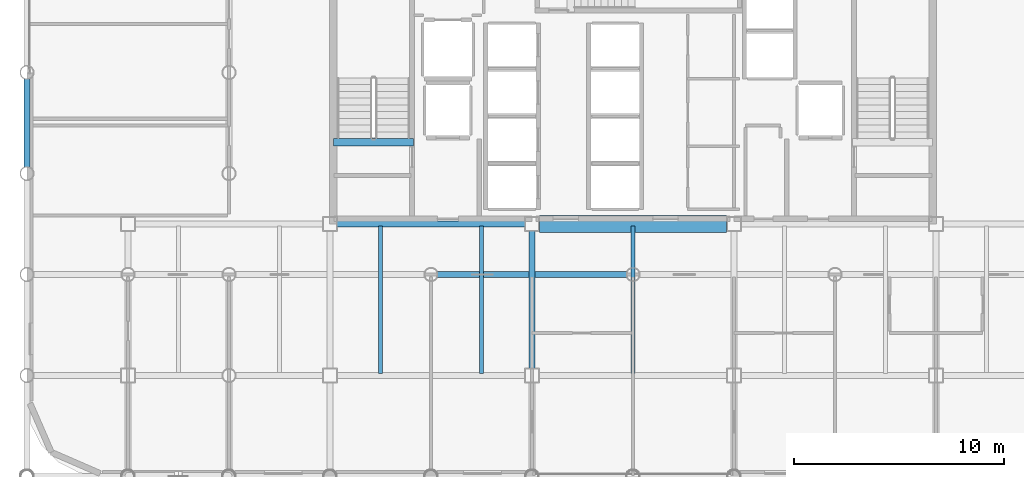
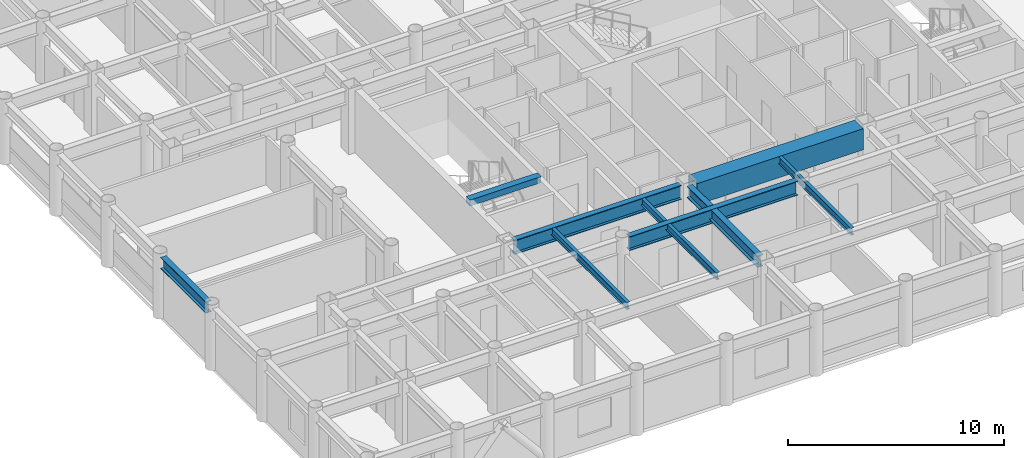
# One storey, part 3 of 22: 9 beams.
"""IFC4 building model written with IfcOpenShell, lengths in metres."""

from ifc_helpers import new_model, si_unit, direction, frame, origin, origin_2d, place, context, subcontext, project, spatial, rectangle, i_section, extrude, material, material_profile, profile_set, type_object, element, save


model = new_model("IFC4")

# Units and contexts
model_context = context("Model", 3, precision=1e-05, world=origin(), true_north=direction((0.0, 1.0)))
body_context = subcontext(model_context, "Body", "Model", "MODEL_VIEW")
ifc_project = project(units=[si_unit("LENGTHUNIT", "METRE"), si_unit("AREAUNIT", "SQUARE_METRE"), si_unit("VOLUMEUNIT", "CUBIC_METRE"), si_unit("PLANEANGLEUNIT", "RADIAN"), si_unit("MASSUNIT", "GRAM", prefix="KILO")], contexts=[model_context])

# Site, building, storey
site_placement = place(None, origin())
site = spatial("IfcSite", under=ifc_project, at=site_placement, CompositionType="ELEMENT")
building_placement = place(site_placement, origin())
building = spatial("IfcBuilding", under=site, at=building_placement, Name="Kallvorn Hotel Tower", CompositionType="ELEMENT")
storey_placement = place(building_placement, frame((0.0, 0.0, 117.39990234375)))
storey = spatial("IfcBuildingStorey", under=building, at=storey_placement, Name="L28", CompositionType="ELEMENT", Elevation=117.39990234375)

# Beams
ifc_material_1 = material(Name="Structural steel S355JR", Category="steel")
ifc_material_profile_1 = material_profile(ifc_material_1, i_section(OverallWidth=0.300048828125, OverallDepth=0.64990234375, WebThickness=0.01611328125, FlangeThickness=0.031005859375, at=origin_2d()), Name="HE 650 B")
ifc_profile_set_1 = profile_set([ifc_material_profile_1], Name="Structural steel S355JR")
beam_type_1 = type_object("IfcBeamType", Name="BM_HE650B", PredefinedType="BEAM", material=ifc_profile_set_1)
beam_1_placement = place(storey_placement, frame((-28.800048828125, -4.4951171875, 3.195068359375), z_axis=(0.0, 1.0, 0.0), x_axis=(-1.0, 0.0, 0.0)))
element("IfcBeam", 1, at=beam_1_placement, inside=storey, type_object=beam_type_1, Name="L29 Primary Y-Girder 76", PredefinedType="BEAM", context=body_context, shape_type="SweptSolid", body=[
    extrude(i_section(OverallWidth=0.300048828125, OverallDepth=0.64990234375, WebThickness=0.01611328125, FlangeThickness=0.031005859375, at=origin_2d()), origin(), (0.0, 0.0, 1.0), 4.190185546875),
])
beam_2_placement = place(storey_placement, frame((-4.800048828125, -14.074951171875, 3.195068359375), z_axis=(0.0, 1.0, 0.0), x_axis=(-1.0, 0.0, 0.0)))
element("IfcBeam", 2, at=beam_2_placement, inside=storey, type_object=beam_type_1, Name="L29 Primary Y-Girder 106", PredefinedType="BEAM", context=body_context, shape_type="SweptSolid", body=[
    extrude(i_section(OverallWidth=0.300048828125, OverallDepth=0.64990234375, WebThickness=0.01611328125, FlangeThickness=0.031005859375, at=origin_2d()), origin(), (0.0, 0.0, 1.0), 6.550048828125),
])
ifc_material_2 = material(Name="Structural steel S355JR", Category="steel")
ifc_material_profile_2 = material_profile(ifc_material_2, i_section(OverallWidth=0.300048828125, OverallDepth=0.800048828125, WebThickness=0.017578125, FlangeThickness=0.032958984375, at=origin_2d()), Name="HE 800 B")
ifc_profile_set_2 = profile_set([ifc_material_profile_2], Name="Structural steel S355JR")
beam_type_2 = type_object("IfcBeamType", Name="BM_HE800B", PredefinedType="BEAM", material=ifc_profile_set_2)
beam_3_placement = place(storey_placement, frame((-9.294921875, -9.60009765625, 3.1201171875), z_axis=(1.0, 0.0, 0.0), x_axis=(0.0, 1.0, 0.0)))
element("IfcBeam", 3, at=beam_3_placement, inside=storey, type_object=beam_type_2, Name="L29 Primary X-Girder 26", PredefinedType="BEAM", context=body_context, shape_type="SweptSolid", body=[
    extrude(i_section(OverallWidth=0.300048828125, OverallDepth=0.800048828125, WebThickness=0.017578125, FlangeThickness=0.032958984375, at=origin_2d()), origin(), (0.0, 0.0, 1.0), 8.989990234375),
])
beam_4_placement = place(storey_placement, frame((-14.074951171875, -7.199951171875, 3.1201171875), z_axis=(1.0, 0.0, 0.0), x_axis=(0.0, 1.0, 0.0)))
element("IfcBeam", 4, at=beam_4_placement, inside=storey, type_object=beam_type_2, Name="L29 Primary X-Girder 33", PredefinedType="BEAM", context=body_context, shape_type="SweptSolid", body=[
    extrude(i_section(OverallWidth=0.300048828125, OverallDepth=0.800048828125, WebThickness=0.017578125, FlangeThickness=0.032958984375, at=origin_2d()), origin(), (0.0, 0.0, 1.0), 8.949951171875),
])
ifc_material_3 = material(Name="Structural steel S355JR", Category="steel")
ifc_material_profile_3 = material_profile(ifc_material_3, i_section(OverallWidth=0.179931640625, OverallDepth=0.39990234375, WebThickness=0.008544921875, FlangeThickness=0.013427734375, at=origin_2d()), Name="IPE 400")
ifc_profile_set_3 = profile_set([ifc_material_profile_3], Name="Structural steel S355JR")
beam_type_3 = type_object("IfcBeamType", Name="BM_IPE400", PredefinedType="JOIST", material=ifc_profile_set_3)
for number, where, z_axis, x_axis, name in (
    (5, (-12.0, -14.300048828125, 3.320068359375), (0.0, 1.0, 0.0), (-1.0, 0.0, 0.0), "L29 Secondary Composite Joist 196"),
    (6, (-7.199951171875, -14.300048828125, 3.320068359375), (0.0, 1.0, 0.0), (-1.0, 0.0, 0.0), "L29 Secondary Composite Joist 198"),
    (7, (0.0, -14.300048828125, 3.320068359375), (0.0, 1.0, 0.0), (-1.0, 0.0, 0.0), "L29 Secondary Composite Joist 200"),
):
    element("IfcBeam", number, at=place(storey_placement, frame(where, z_axis=z_axis, x_axis=x_axis)), inside=storey, type_object=beam_type_3, Name=name, PredefinedType="JOIST", context=body_context, shape_type="SweptSolid", body=[
        extrude(i_section(OverallWidth=0.179931640625, OverallDepth=0.39990234375, WebThickness=0.008544921875, FlangeThickness=0.013427734375, at=origin_2d()), origin(), (0.0, 0.0, 1.0), 7.0),
    ])
ifc_material_4 = material(Name="Concrete C50/60", Category="concrete")
ifc_material_profile_4 = material_profile(ifc_material_4, rectangle(XDim=0.360107421875, YDim=0.340087890625, at=origin_2d()), Name="RC 360x340")
ifc_profile_set_4 = profile_set([ifc_material_profile_4], Name="Concrete C50/60")
beam_type_4 = type_object("IfcBeamType", Name="BM_RC_400x360", PredefinedType="BEAM", material=ifc_profile_set_4)
beam_5_placement = place(storey_placement, frame((-10.419921875, -3.31005859375, 3.35009765625), z_axis=(-1.0, 0.0, 0.0), x_axis=(0.0, -1.0, 0.0)))
element("IfcBeam", 8, at=beam_5_placement, inside=storey, type_object=beam_type_4, Name="L29 Stair ST1 Arrival Trimmer Beam", PredefinedType="BEAM", context=body_context, shape_type="SweptSolid", body=[
    extrude(rectangle(XDim=0.360107421875, YDim=0.340087890625, at=origin_2d()), origin(), (0.0, 0.0, 1.0), 3.820068359375),
])
ifc_material_5 = material(Name="Concrete C50/60", Category="concrete")
ifc_material_profile_5 = material_profile(ifc_material_5, rectangle(XDim=0.800048828125, YDim=1.199951171875, at=origin_2d()), Name="RC 800x1200")
ifc_profile_set_5 = profile_set([ifc_material_profile_5], Name="Concrete C50/60")
beam_type_5 = type_object("IfcBeamType", Name="BM_RC_800x1200", PredefinedType="T_BEAM", material=ifc_profile_set_5)
beam_6_placement = place(storey_placement, frame((-4.449951171875, -7.199951171875, 2.920166015625), z_axis=(1.0, 0.0, 0.0), x_axis=(0.0, 1.0, 0.0)))
element("IfcBeam", 9, at=beam_6_placement, inside=storey, type_object=beam_type_5, Name="L28 Core Coupling Beam South", PredefinedType="T_BEAM", context=body_context, shape_type="SweptSolid", body=[
    extrude(rectangle(XDim=0.800048828125, YDim=1.199951171875, at=origin_2d()), origin(), (0.0, 0.0, 1.0), 8.89990234375),
])

save(model, "model.ifc")
